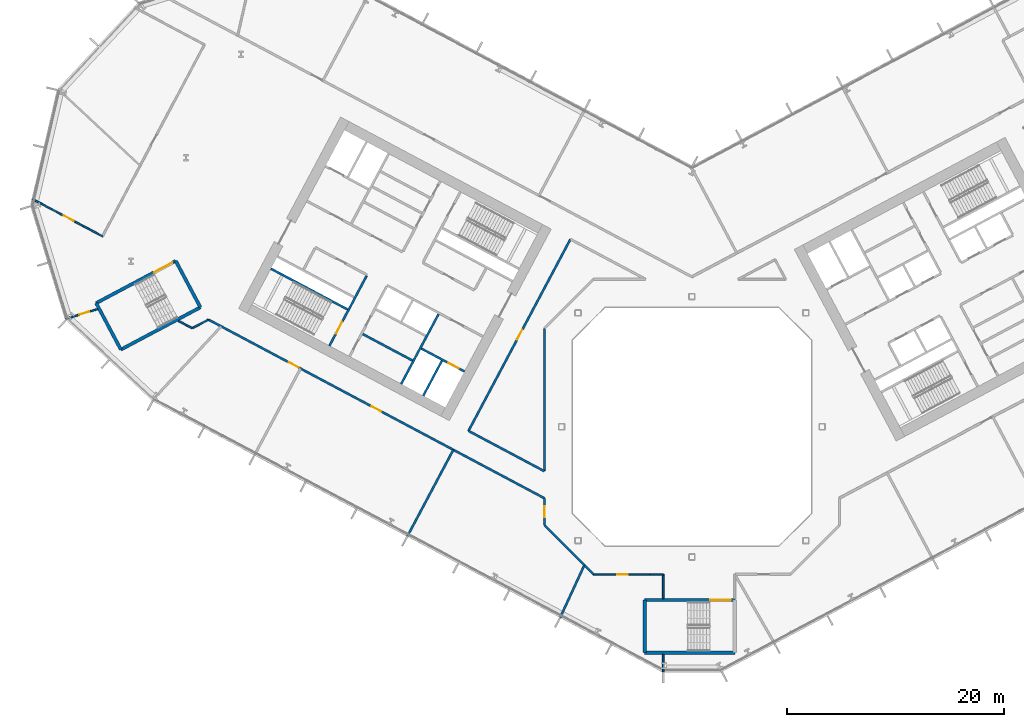
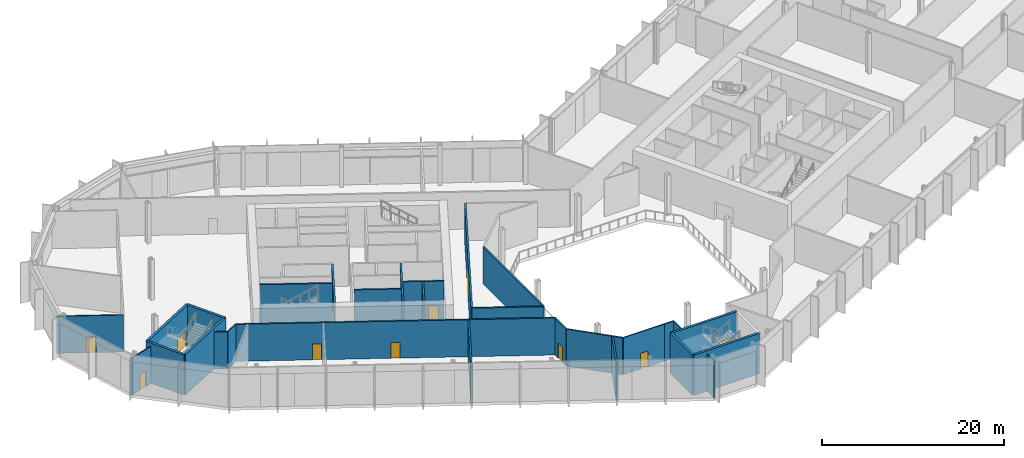
# One storey, part 12 of 31: 30 walls, 11 doors, 11 openings.
"""IFC4 building model written with IfcOpenShell, lengths in metres."""

from ifc_helpers import new_model, si_unit, direction, frame, frame_2d, origin, place, context, subcontext, project, spatial, rectangle, extrude, material, layer, layer_set, type_object, element, fill, save


model = new_model("IFC4")

# Units and contexts
model_context = context("Model", 3, precision=1e-05, world=origin(), true_north=direction((0.0, 1.0)))
body_context = subcontext(model_context, "Body", "Model", "MODEL_VIEW")
ifc_project = project(units=[si_unit("LENGTHUNIT", "METRE"), si_unit("AREAUNIT", "SQUARE_METRE"), si_unit("VOLUMEUNIT", "CUBIC_METRE"), si_unit("PLANEANGLEUNIT", "RADIAN"), si_unit("MASSUNIT", "GRAM", prefix="KILO")], contexts=[model_context])

# Site, building, storey
site_placement = place(None, origin())
site = spatial("IfcSite", under=ifc_project, at=site_placement, CompositionType="ELEMENT")
building_placement = place(site_placement, origin())
building = spatial("IfcBuilding", under=site, at=building_placement, Name="Cormorant Relay Tower", CompositionType="ELEMENT")
storey_placement = place(building_placement, frame((0.0, 0.0, 33.800048828125)))
storey = spatial("IfcBuildingStorey", under=building, at=storey_placement, Name="L06", CompositionType="ELEMENT", Elevation=33.800048828125)

# Walls
ifc_material_1 = material(Name="Concrete 40 MPa", Category="concrete")
ifc_layer_1 = layer(ifc_material_1, 0.199951171875)
ifc_layer_set_1 = layer_set([ifc_layer_1], Name="Core internal wall 200")
wall_type_1 = type_object("IfcWallType", Name="Core internal wall 200", PredefinedType="SOLIDWALL", material=ifc_layer_set_1)
wall_1_placement = place(storey_placement, frame((-25.7490234375, 6.102783203125, 0.0), z_axis=(0.0, 0.0, 1.0), x_axis=(-0.882953967957, 0.469459572775, 0.0)))
element("IfcWall", 1, at=wall_1_placement, inside=storey, type_object=wall_type_1, Name="L06 core A shaft and room wall", PredefinedType="SOLIDWALL", context=body_context, shape_type="SweptSolid", body=[
    extrude(rectangle(XDim=5.199951171875, YDim=0.199951171875, at=frame_2d((2.60009765625, 0.0))), origin(), (0.0, 0.0, 1.0), 5.39990234375),
])
ifc_material_2 = material(Name="Concrete 50 MPa", Category="concrete")
ifc_layer_2 = layer(ifc_material_2, 0.199951171875)
ifc_layer_set_2 = layer_set([ifc_layer_2], Name="Core shaft wall 200")
wall_type_2 = type_object("IfcWallType", Name="Core shaft wall 200", PredefinedType="SHEAR", material=ifc_layer_set_2)
wall_2_placement = place(storey_placement, frame((-23.04296875, 6.07958984375, 0.0), z_axis=(0.0, 0.0, 1.0), x_axis=(-0.469494272526, -0.882935517501, 0.0)))
element("IfcWall", 2, at=wall_2_placement, inside=storey, type_object=wall_type_2, Name="L06 core A shaft wall", PredefinedType="SHEAR", context=body_context, shape_type="SweptSolid", body=[
    extrude(rectangle(XDim=3.64990234375, YDim=0.199951171875, at=frame_2d((1.824951171875, 0.0))), origin(), (0.0, 0.0, 1.0), 5.39990234375),
])
wall_3_placement = place(storey_placement, frame((-23.360107421875, 10.38232421875, 0.0), z_axis=(0.0, 0.0, 1.0), x_axis=(-0.469480409012, -0.88294288918, 0.0)))
element("IfcWall", 3, at=wall_3_placement, inside=storey, type_object=wall_type_2, Name="L06 core A shaft wall", PredefinedType="SHEAR", context=body_context, shape_type="SweptSolid", body=[
    extrude(rectangle(XDim=7.300048828125, YDim=0.199951171875, at=frame_2d((3.64990234375, 0.0))), origin(), (0.0, 0.0, 1.0), 5.39990234375),
])

# Wall, opening, door
wall_4_placement = place(storey_placement, frame((-29.982421875, 13.9033203125, 0.0), z_axis=(0.0, 0.0, 1.0), x_axis=(-0.469454336211, -0.882956752176, 0.0)))
wall_4 = element("IfcWall", 4, at=wall_4_placement, inside=storey, type_object=wall_type_2, Name="L06 core A shaft wall", PredefinedType="SHEAR", context=body_context, shape_type="SweptSolid", body=[
    extrude(rectangle(XDim=7.300048828125, YDim=0.199951171875, at=frame_2d((3.64990234375, 0.0))), origin(), (0.0, 0.0, 1.0), 5.39990234375),
])
opening_1_placement = place(wall_4_placement, frame((4.800048828125, 0.0, 0.0)))
opening_1 = element("IfcOpeningElement", 5, at=opening_1_placement, cuts=wall_4, Name="Opening CDB-020", PredefinedType="OPENING", context=body_context, shape_type="SweptSolid", body=[
    extrude(rectangle(XDim=1.199951171875, YDim=2.10009765625, at=frame_2d((0.60009765625, 1.050048828125))), frame((0.0, 0.10986328125, 0.0), z_axis=(0.0, -1.0, 0.0), x_axis=(1.0, 0.0, 0.0)), (0.0, 0.0, 1.0), 0.219970703125),
])
ifc_material_3 = material(Name="Steel fire door", Category="steel")
door_type_1 = type_object("IfcDoorType", Name="Core stair door 1200x2100", OperationType="SINGLE_SWING_LEFT", PredefinedType="DOOR", material=ifc_material_3)
door_1_placement = place(opening_1_placement, frame((1.199951171875, 0.0, 0.0), z_axis=(0.0, 0.0, 1.0), x_axis=(-1.0, 0.0, 0.0)))
door_1 = element("IfcDoor", 6, at=door_1_placement, inside=storey, type_object=door_type_1, Name="Core stair door 1200x2100", OperationType="SINGLE_SWING_RIGHT", OverallHeight=2.10009765625, OverallWidth=1.199951171875, PredefinedType="DOOR", context=body_context, shape_type="SweptSolid", body=[
    extrude(rectangle(XDim=1.199951171875, YDim=2.10009765625, at=frame_2d((0.60009765625, 1.050048828125))), frame((0.0, 0.02490234375, 0.0), z_axis=(0.0, -1.0, 0.0), x_axis=(1.0, 0.0, 0.0)), (0.0, 0.0, 1.0), 0.050048828125),
])
fill(opening_1, door_1)

wall_5_placement = place(storey_placement, frame((-20.96533203125, 5.088134765625, 0.0), z_axis=(0.0, 0.0, 1.0), x_axis=(-0.882925986334, 0.469512196493, 0.0)))
wall_5 = element("IfcWall", 7, at=wall_5_placement, inside=storey, type_object=wall_type_2, Name="L06 core A shaft wall", PredefinedType="SHEAR", context=body_context, shape_type="SweptSolid", body=[
    extrude(rectangle(XDim=4.5, YDim=0.199951171875, at=frame_2d((2.25, 0.0))), origin(), (0.0, 0.0, 1.0), 5.39990234375),
])
opening_2_placement = place(wall_5_placement, frame((0.60009765625, 0.0, 0.0)))
opening_2 = element("IfcOpeningElement", 8, at=opening_2_placement, cuts=wall_5, Name="Opening LD1-019", PredefinedType="OPENING", context=body_context, shape_type="SweptSolid", body=[
    extrude(rectangle(XDim=1.10009765625, YDim=2.10009765625, at=frame_2d((0.550048828125, 1.050048828125))), frame((0.0, 0.10986328125, 0.0), z_axis=(0.0, -1.0, 0.0), x_axis=(1.0, 0.0, 0.0)), (0.0, 0.0, 1.0), 0.219970703125),
])
ifc_material_4 = material(Name="Stainless steel 316", Category="steel")
door_type_2 = type_object("IfcDoorType", Name="Lift landing door 1100x2100", OperationType="DOUBLE_DOOR_SLIDING", PredefinedType="DOOR", material=ifc_material_4)
door_2_placement = place(opening_2_placement, origin())
door_2 = element("IfcDoor", 9, at=door_2_placement, inside=storey, type_object=door_type_2, Name="FF1 landing door", OperationType="DOUBLE_DOOR_SLIDING", OverallHeight=2.10009765625, OverallWidth=1.10009765625, PredefinedType="DOOR", context=body_context, shape_type="SweptSolid", body=[
    extrude(rectangle(XDim=1.10009765625, YDim=2.10009765625, at=frame_2d((0.550048828125, 1.050048828125))), frame((0.0, 0.02490234375, 0.0), z_axis=(0.0, -1.0, 0.0), x_axis=(1.0, 0.0, 0.0)), (0.0, 0.0, 1.0), 0.050048828125),
])
fill(opening_2, door_2)

# Wall
wall_6_placement = place(storey_placement, frame((-31.7373046875, 10.815673828125, 0.0), z_axis=(0.0, 0.0, 1.0), x_axis=(-0.882940221191, 0.469485426614, 0.0)))
element("IfcWall", 10, at=wall_6_placement, inside=storey, type_object=wall_type_2, Name="L06 core A shaft wall", PredefinedType="SHEAR", context=body_context, shape_type="SweptSolid", body=[
    extrude(rectangle(XDim=8.0, YDim=0.199951171875, at=frame_2d((4.0, 0.0))), origin(), (0.0, 0.0, 1.0), 5.39990234375),
])

# Wall, openings, doors
ifc_material_5 = material(Name="Fire-rated gypsum board partition")
ifc_layer_3 = layer(ifc_material_5, 0.199951171875)
ifc_layer_set_3 = layer_set([ifc_layer_3], Name="Fire-rated gypsum partition 200")
wall_type_3 = type_object("IfcWallType", Name="Fire-rated gypsum partition 200", PredefinedType="PARTITIONING", material=ifc_layer_set_3)
wall_7_placement = place(storey_placement, frame((-13.597900390625, -6.5849609375, 0.0), z_axis=(0.0, 0.0, 1.0), x_axis=(-0.882949042681, 0.469468836057, 0.0)))
wall_7 = element("IfcWall", 11, at=wall_7_placement, inside=storey, type_object=wall_type_3, Name="wall/L06/part/12", PredefinedType="PARTITIONING", context=body_context, shape_type="SweptSolid", body=[
    extrude(rectangle(XDim=35.058837890625, YDim=0.199951171875, at=frame_2d((17.529296875, 0.0))), origin(), (0.0, 0.0, 1.0), 4.949951171875),
])
opening_3_placement = place(wall_7_placement, frame((25.64990234375, 0.0, 0.0)))
opening_3 = element("IfcOpeningElement", 12, at=opening_3_placement, cuts=wall_7, Name="Opening FD1-034", PredefinedType="OPENING", context=body_context, shape_type="SweptSolid", body=[
    extrude(rectangle(XDim=1.0, YDim=2.10009765625, at=frame_2d((0.5, 1.050048828125))), frame((0.0, 0.10986328125, 0.0), z_axis=(0.0, -1.0, 0.0), x_axis=(1.0, 0.0, 0.0)), (0.0, 0.0, 1.0), 0.219970703125),
])
opening_4_placement = place(wall_7_placement, frame((17.050048828125, 0.0, 0.0)))
opening_4 = element("IfcOpeningElement", 13, at=opening_4_placement, cuts=wall_7, Name="Opening FD1-035", PredefinedType="OPENING", context=body_context, shape_type="SweptSolid", body=[
    extrude(rectangle(XDim=1.0, YDim=2.10009765625, at=frame_2d((0.5, 1.050048828125))), frame((0.0, 0.10986328125, 0.0), z_axis=(0.0, -1.0, 0.0), x_axis=(1.0, 0.0, 0.0)), (0.0, 0.0, 1.0), 0.219970703125),
])
ifc_material_6 = material(Name="Fire-rated steel door", Category="steel")
door_type_3 = type_object("IfcDoorType", Name="Fire door 1000 x 2100", OperationType="SINGLE_SWING_LEFT", PredefinedType="DOOR", material=ifc_material_6)
door_3_placement = place(opening_3_placement, origin())
door_3 = element("IfcDoor", 14, at=door_3_placement, inside=storey, type_object=door_type_3, Name="door/L06/16", OperationType="SINGLE_SWING_LEFT", OverallHeight=2.10009765625, OverallWidth=1.0, PredefinedType="DOOR", context=body_context, shape_type="SweptSolid", body=[
    extrude(rectangle(XDim=1.0, YDim=2.10009765625, at=frame_2d((0.5, 1.050048828125))), frame((0.0, 0.02490234375, 0.0), z_axis=(0.0, -1.0, 0.0), x_axis=(1.0, 0.0, 0.0)), (0.0, 0.0, 1.0), 0.050048828125),
])
fill(opening_3, door_3)
door_4_placement = place(opening_4_placement, origin())
door_4 = element("IfcDoor", 15, at=door_4_placement, inside=storey, type_object=door_type_3, Name="door/L06/17", OperationType="SINGLE_SWING_LEFT", OverallHeight=2.10009765625, OverallWidth=1.0, PredefinedType="DOOR", context=body_context, shape_type="SweptSolid", body=[
    extrude(rectangle(XDim=1.0, YDim=2.10009765625, at=frame_2d((0.5, 1.050048828125))), frame((0.0, 0.02490234375, 0.0), z_axis=(0.0, -1.0, 0.0), x_axis=(1.0, 0.0, 0.0)), (0.0, 0.0, 1.0), 0.050048828125),
])
fill(opening_4, door_4)

# Walls
wall_8_placement = place(storey_placement, frame((-21.988037109375, -2.1240234375, 0.0), z_axis=(0.0, 0.0, 1.0), x_axis=(-0.469475779988, -0.88294535052, 0.0)))
element("IfcWall", 16, at=wall_8_placement, inside=storey, type_object=wall_type_3, Name="wall/L06/part/15", PredefinedType="PARTITIONING", context=body_context, shape_type="SweptSolid", body=[
    extrude(rectangle(XDim=9.001708984375, YDim=0.199951171875, at=frame_2d((4.5009765625, 0.0))), origin(), (0.0, 0.0, 1.0), 4.949951171875),
])
wall_9_placement = place(storey_placement, frame((-9.9169921875, -12.757080078125, 0.0), z_axis=(0.0, 0.0, 1.0), x_axis=(-0.707083331725, 0.70713022987, 0.0)))
element("IfcWall", 17, at=wall_9_placement, inside=storey, type_object=wall_type_3, Name="wall/L06/part/17", PredefinedType="PARTITIONING", context=body_context, shape_type="SweptSolid", body=[
    extrude(rectangle(XDim=5.205810546875, YDim=0.199951171875, at=frame_2d((2.60302734375, 0.0))), origin(), (0.0, 0.0, 1.0), 4.949951171875),
])

# Wall, opening, door
wall_10_placement = place(storey_placement, frame((-13.597900390625, -9.075927734375, 0.0), z_axis=(0.0, 0.0, 1.0), x_axis=(0.0, 1.0, 0.0)))
wall_10 = element("IfcWall", 18, at=wall_10_placement, inside=storey, type_object=wall_type_3, Name="wall/L06/part/18", PredefinedType="PARTITIONING", context=body_context, shape_type="SweptSolid", body=[
    extrude(rectangle(XDim=2.473876953125, YDim=0.199951171875, at=frame_2d((1.23681640625, 0.0))), origin(), (0.0, 0.0, 1.0), 4.949951171875),
])
opening_5_placement = place(wall_10_placement, frame((0.75, 0.0, 0.0)))
opening_5 = element("IfcOpeningElement", 19, at=opening_5_placement, cuts=wall_10, Name="Opening FD1-036", PredefinedType="OPENING", context=body_context, shape_type="SweptSolid", body=[
    extrude(rectangle(XDim=1.0, YDim=2.10009765625, at=frame_2d((0.5, 1.050048828125))), frame((0.0, 0.10986328125, 0.0), z_axis=(0.0, -1.0, 0.0), x_axis=(1.0, 0.0, 0.0)), (0.0, 0.0, 1.0), 0.219970703125),
])
door_5_placement = place(opening_5_placement, origin())
door_5 = element("IfcDoor", 20, at=door_5_placement, inside=storey, type_object=door_type_3, Name="door/L06/18", OperationType="SINGLE_SWING_RIGHT", OverallHeight=2.10009765625, OverallWidth=1.0, PredefinedType="DOOR", context=body_context, shape_type="SweptSolid", body=[
    extrude(rectangle(XDim=1.0, YDim=2.10009765625, at=frame_2d((0.5, 1.050048828125))), frame((0.0, 0.02490234375, 0.0), z_axis=(0.0, -1.0, 0.0), x_axis=(1.0, 0.0, 0.0)), (0.0, 0.0, 1.0), 0.050048828125),
])
fill(opening_5, door_5)

# Walls
wall_11_placement = place(storey_placement, frame((-9.9169921875, -12.757080078125, 0.0), z_axis=(0.0, 0.0, 1.0), x_axis=(-0.418797645162, -0.908079584842, 0.0)))
element("IfcWall", 21, at=wall_11_placement, inside=storey, type_object=wall_type_3, Name="wall/L06/part/19", PredefinedType="PARTITIONING", context=body_context, shape_type="SweptSolid", body=[
    extrude(rectangle(XDim=5.2890625, YDim=0.199951171875, at=frame_2d((2.64453125, 0.0))), origin(), (0.0, 0.0, 1.0), 4.949951171875),
])
wall_12_placement = place(storey_placement, frame((-9.075927734375, -13.597900390625, 0.0), z_axis=(0.0, 0.0, 1.0), x_axis=(-0.707209416613, 0.707004130861, 0.0)))
element("IfcWall", 22, at=wall_12_placement, inside=storey, type_object=wall_type_3, Name="wall/L06/part/22", PredefinedType="PARTITIONING", context=body_context, shape_type="SweptSolid", body=[
    extrude(rectangle(XDim=1.189208984375, YDim=0.199951171875, at=frame_2d((0.5947265625, 0.0))), origin(), (0.0, 0.0, 1.0), 4.949951171875),
])

# Wall, opening, door
wall_13_placement = place(storey_placement, frame((-20.590087890625, -0.3798828125, 0.0), z_axis=(0.0, 0.0, 1.0), x_axis=(0.4694565083, 0.882955597306, 0.0)))
wall_13 = element("IfcWall", 23, at=wall_13_placement, inside=storey, type_object=wall_type_3, Name="wall/L06/part/56", PredefinedType="PARTITIONING", context=body_context, shape_type="SweptSolid", body=[
    extrude(rectangle(XDim=20.004150390625, YDim=0.199951171875, at=frame_2d((10.001953125, 0.0))), origin(), (0.0, 0.0, 1.0), 4.949951171875),
])
opening_6_placement = place(wall_13_placement, frame((9.550048828125, 0.0, 0.0)))
opening_6 = element("IfcOpeningElement", 24, at=opening_6_placement, cuts=wall_13, Name="Opening FD1-040", PredefinedType="OPENING", context=body_context, shape_type="SweptSolid", body=[
    extrude(rectangle(XDim=1.0, YDim=2.10009765625, at=frame_2d((0.5, 1.050048828125))), frame((0.0, 0.10986328125, 0.0), z_axis=(0.0, -1.0, 0.0), x_axis=(1.0, 0.0, 0.0)), (0.0, 0.0, 1.0), 0.219970703125),
])
door_6_placement = place(opening_6_placement, frame((1.0, 0.0, 0.0), z_axis=(0.0, 0.0, 1.0), x_axis=(-1.0, 0.0, 0.0)))
door_6 = element("IfcDoor", 25, at=door_6_placement, inside=storey, type_object=door_type_3, Name="door/L06/3", OperationType="SINGLE_SWING_LEFT", OverallHeight=2.10009765625, OverallWidth=1.0, PredefinedType="DOOR", context=body_context, shape_type="SweptSolid", body=[
    extrude(rectangle(XDim=1.0, YDim=2.10009765625, at=frame_2d((0.5, 1.050048828125))), frame((0.0, 0.02490234375, 0.0), z_axis=(0.0, -1.0, 0.0), x_axis=(1.0, 0.0, 0.0)), (0.0, 0.0, 1.0), 0.050048828125),
])
fill(opening_6, door_6)

# Walls
wall_14_placement = place(storey_placement, frame((-13.597900390625, 9.075927734375, 0.0), z_axis=(0.0, 0.0, 1.0), x_axis=(0.0, -1.0, 0.0)))
element("IfcWall", 26, at=wall_14_placement, inside=storey, type_object=wall_type_3, Name="wall/L06/part/60", PredefinedType="PARTITIONING", context=body_context, shape_type="SweptSolid", body=[
    extrude(rectangle(XDim=13.173828125, YDim=0.199951171875, at=frame_2d((6.5869140625, 0.0))), origin(), (0.0, 0.0, 1.0), 4.949951171875),
])
wall_15_placement = place(storey_placement, frame((-13.597900390625, -4.097900390625, 0.0), z_axis=(0.0, 0.0, 1.0), x_axis=(-0.88293683418, 0.469491796359, 0.0)))
element("IfcWall", 27, at=wall_15_placement, inside=storey, type_object=wall_type_3, Name="wall/L06/part/61", PredefinedType="PARTITIONING", context=body_context, shape_type="SweptSolid", body=[
    extrude(rectangle(XDim=7.919189453125, YDim=0.199951171875, at=frame_2d((3.95947265625, 0.0))), origin(), (0.0, 0.0, 1.0), 4.949951171875),
])

# Wall, opening, door
ifc_material_7 = material(Name="Gypsum board partition")
ifc_layer_4 = layer(ifc_material_7, 0.14990234375)
ifc_layer_set_4 = layer_set([ifc_layer_4], Name="Gypsum board partition 150")
wall_type_4 = type_object("IfcWallType", Name="Gypsum board partition 150", PredefinedType="PARTITIONING", material=ifc_layer_set_4)
wall_16_placement = place(storey_placement, frame((-60.787109375, 20.991943359375, 0.0), z_axis=(0.0, 0.0, 1.0), x_axis=(0.882995783921, -0.469380917356, 0.0)))
wall_16 = element("IfcWall", 28, at=wall_16_placement, inside=storey, type_object=wall_type_4, Name="wall/L06/part/1", PredefinedType="PARTITIONING", context=body_context, shape_type="SweptSolid", body=[
    extrude(rectangle(XDim=7.32861328125, YDim=0.14990234375, at=frame_2d((3.664306640625, 0.0))), origin(), (0.0, 0.0, 1.0), 4.949951171875),
])
opening_7_placement = place(wall_16_placement, frame((3.287109375, 0.0, 0.0)))
opening_7 = element("IfcOpeningElement", 29, at=opening_7_placement, cuts=wall_16, Name="Opening D1-016", PredefinedType="OPENING", context=body_context, shape_type="SweptSolid", body=[
    extrude(rectangle(XDim=1.0, YDim=2.10009765625, at=frame_2d((0.5, 1.050048828125))), frame((0.0, 0.0849609375, 0.0), z_axis=(0.0, -1.0, 0.0), x_axis=(1.0, 0.0, 0.0)), (0.0, 0.0, 1.0), 0.169921875),
])
ifc_material_8 = material(Name="Painted steel door", Category="steel")
door_type_4 = type_object("IfcDoorType", Name="Single door 1000 x 2100", OperationType="SINGLE_SWING_LEFT", PredefinedType="DOOR", material=ifc_material_8)
door_7_placement = place(opening_7_placement, origin())
door_7 = element("IfcDoor", 30, at=door_7_placement, inside=storey, type_object=door_type_4, Name="door/L06/2", OperationType="SINGLE_SWING_RIGHT", OverallHeight=2.10009765625, OverallWidth=1.0, PredefinedType="DOOR", context=body_context, shape_type="SweptSolid", body=[
    extrude(rectangle(XDim=1.0, YDim=2.10009765625, at=frame_2d((0.5, 1.050048828125))), frame((0.0, 0.02490234375, 0.0), z_axis=(0.0, -1.0, 0.0), x_axis=(1.0, 0.0, 0.0)), (0.0, 0.0, 1.0), 0.050048828125),
])
fill(opening_7, door_7)

wall_17_placement = place(storey_placement, frame((-54.7607421875, 10.847900390625, 0.0), z_axis=(0.0, 0.0, 1.0), x_axis=(-0.956301064033, -0.29238378021, 0.0)))
wall_17 = element("IfcWall", 31, at=wall_17_placement, inside=storey, type_object=wall_type_4, Name="wall/L06/part/5", PredefinedType="PARTITIONING", context=body_context, shape_type="SweptSolid", body=[
    extrude(rectangle(XDim=3.115478515625, YDim=0.14990234375, at=frame_2d((1.5576171875, 0.0))), origin(), (0.0, 0.0, 1.0), 4.949951171875),
])
opening_8_placement = place(wall_17_placement, frame((0.820068359375, 0.0, 0.0)))
opening_8 = element("IfcOpeningElement", 32, at=opening_8_placement, cuts=wall_17, Name="Opening D2-005", PredefinedType="OPENING", context=body_context, shape_type="SweptSolid", body=[
    extrude(rectangle(XDim=0.949951171875, YDim=2.10009765625, at=frame_2d((0.47509765625, 1.050048828125))), frame((0.0, 0.0849609375, 0.0), z_axis=(0.0, -1.0, 0.0), x_axis=(1.0, 0.0, 0.0)), (0.0, 0.0, 1.0), 0.169921875),
])
ifc_material_9 = material(Name="Timber door", Category="wood")
door_type_5 = type_object("IfcDoorType", Name="Toilet door 950 x 2100", OperationType="SINGLE_SWING_LEFT", PredefinedType="DOOR", material=ifc_material_9)
door_8_placement = place(opening_8_placement, origin())
door_8 = element("IfcDoor", 33, at=door_8_placement, inside=storey, type_object=door_type_5, Name="door/L06/15", OperationType="SINGLE_SWING_RIGHT", OverallHeight=2.10009765625, OverallWidth=0.949951171875, PredefinedType="DOOR", context=body_context, shape_type="SweptSolid", body=[
    extrude(rectangle(XDim=0.949951171875, YDim=2.10009765625, at=frame_2d((0.47509765625, 1.050048828125))), frame((0.0, 0.02490234375, 0.0), z_axis=(0.0, -1.0, 0.0), x_axis=(1.0, 0.0, 0.0)), (0.0, 0.0, 1.0), 0.050048828125),
])
fill(opening_8, door_8)

# Walls
wall_18_placement = place(storey_placement, frame((-44.56298828125, 9.868896484375, 0.0), z_axis=(0.0, 0.0, 1.0), x_axis=(-0.882863413573, -0.469629846766, 0.0)))
element("IfcWall", 34, at=wall_18_placement, inside=storey, type_object=wall_type_4, Name="wall/L06/part/10", PredefinedType="PARTITIONING", context=body_context, shape_type="SweptSolid", body=[
    extrude(rectangle(XDim=1.6796875, YDim=0.14990234375, at=frame_2d((0.83984375, 0.0))), origin(), (0.0, 0.0, 1.0), 4.949951171875),
])
wall_19_placement = place(storey_placement, frame((-46.0458984375, 9.080078125, 0.0), z_axis=(0.0, 0.0, 1.0), x_axis=(-0.882853180601, 0.469649083363, 0.0)))
element("IfcWall", 35, at=wall_19_placement, inside=storey, type_object=wall_type_4, Name="wall/L06/part/11", PredefinedType="PARTITIONING", context=body_context, shape_type="SweptSolid", body=[
    extrude(rectangle(XDim=1.45751953125, YDim=0.14990234375, at=frame_2d((0.728759765625, 0.0))), origin(), (0.0, 0.0, 1.0), 4.949951171875),
])

# Wall, opening, door
wall_20_placement = place(storey_placement, frame((-3.886962890625, -13.597900390625, 0.0), z_axis=(0.0, 0.0, 1.0), x_axis=(-1.0, 0.0, 0.0)))
wall_20 = element("IfcWall", 36, at=wall_20_placement, inside=storey, type_object=wall_type_4, Name="wall/L06/part/21", PredefinedType="PARTITIONING", context=body_context, shape_type="SweptSolid", body=[
    extrude(rectangle(XDim=5.18896484375, YDim=0.14990234375, at=frame_2d((2.594482421875, 0.0))), origin(), (0.0, 0.0, 1.0), 4.949951171875),
])
opening_9_placement = place(wall_20_placement, frame((2.050048828125, 0.0, 0.0)))
opening_9 = element("IfcOpeningElement", 37, at=opening_9_placement, cuts=wall_20, Name="Opening D2-006", PredefinedType="OPENING", context=body_context, shape_type="SweptSolid", body=[
    extrude(rectangle(XDim=0.949951171875, YDim=2.10009765625, at=frame_2d((0.47509765625, 1.050048828125))), frame((0.0, 0.0849609375, 0.0), z_axis=(0.0, -1.0, 0.0), x_axis=(1.0, 0.0, 0.0)), (0.0, 0.0, 1.0), 0.169921875),
])
door_9_placement = place(opening_9_placement, origin())
door_9 = element("IfcDoor", 38, at=door_9_placement, inside=storey, type_object=door_type_5, Name="door/L06/19", OperationType="SINGLE_SWING_LEFT", OverallHeight=2.10009765625, OverallWidth=0.949951171875, PredefinedType="DOOR", context=body_context, shape_type="SweptSolid", body=[
    extrude(rectangle(XDim=0.949951171875, YDim=2.10009765625, at=frame_2d((0.47509765625, 1.050048828125))), frame((0.0, 0.02490234375, 0.0), z_axis=(0.0, -1.0, 0.0), x_axis=(1.0, 0.0, 0.0)), (0.0, 0.0, 1.0), 0.050048828125),
])
fill(opening_9, door_9)

# Walls
wall_21_placement = place(storey_placement, frame((-2.64892578125, -15.840087890625, 0.0), z_axis=(0.0, 0.0, 1.0), x_axis=(0.0, 1.0, 0.0)))
element("IfcWall", 39, at=wall_21_placement, inside=storey, type_object=wall_type_4, Name="wall/L06/part/23", PredefinedType="PARTITIONING", context=body_context, shape_type="SweptSolid", body=[
    extrude(rectangle(XDim=2.2421875, YDim=0.14990234375, at=frame_2d((1.12109375, 0.0))), origin(), (0.0, 0.0, 1.0), 4.949951171875),
])
wall_22_placement = place(storey_placement, frame((-2.64892578125, -13.597900390625, 0.0), z_axis=(0.0, 0.0, 1.0), x_axis=(-1.0, 0.0, 0.0)))
element("IfcWall", 40, at=wall_22_placement, inside=storey, type_object=wall_type_4, Name="wall/L06/part/24", PredefinedType="PARTITIONING", context=body_context, shape_type="SweptSolid", body=[
    extrude(rectangle(XDim=1.238037109375, YDim=0.14990234375, at=frame_2d((0.619140625, 0.0))), origin(), (0.0, 0.0, 1.0), 4.949951171875),
])
wall_23_placement = place(storey_placement, frame((-2.64892578125, -20.9599609375, 0.0), z_axis=(0.0, 0.0, 1.0), x_axis=(0.0, -1.0, 0.0)))
element("IfcWall", 41, at=wall_23_placement, inside=storey, type_object=wall_type_4, Name="wall/L06/part/25", PredefinedType="PARTITIONING", context=body_context, shape_type="SweptSolid", body=[
    extrude(rectangle(XDim=1.6220703125, YDim=0.14990234375, at=frame_2d((0.81103515625, 0.0))), origin(), (0.0, 0.0, 1.0), 4.949951171875),
])
ifc_material_10 = material(Name="Concrete 50 MPa", Category="concrete")
ifc_layer_5 = layer(ifc_material_10, 0.300048828125)
ifc_layer_set_5 = layer_set([ifc_layer_5], Name="Remote stair wall 300")
wall_type_5 = type_object("IfcWallType", Name="Remote stair wall 300", PredefinedType="SHEAR", material=ifc_layer_set_5)
wall_24_placement = place(storey_placement, frame((3.949951171875, -20.824951171875, 0.0), z_axis=(0.0, 0.0, 1.0), x_axis=(-1.0, 0.0, 0.0)))
element("IfcWall", 42, at=wall_24_placement, inside=storey, type_object=wall_type_5, Name="L06 exit stair RK1 wall", PredefinedType="SHEAR", context=body_context, shape_type="SweptSolid", body=[
    extrude(rectangle(XDim=8.300048828125, YDim=0.300048828125, at=frame_2d((4.14990234375, 0.0))), origin(), (0.0, 0.0, 1.0), 5.39990234375),
])
wall_25_placement = place(storey_placement, frame((-4.35009765625, -20.824951171875, 0.0), z_axis=(0.0, 0.0, 1.0), x_axis=(0.0, 1.0, 0.0)))
element("IfcWall", 43, at=wall_25_placement, inside=storey, type_object=wall_type_5, Name="L06 exit stair RK1 wall", PredefinedType="SHEAR", context=body_context, shape_type="SweptSolid", body=[
    extrude(rectangle(XDim=4.849853515625, YDim=0.300048828125, at=frame_2d((2.4248046875, 0.0))), origin(), (0.0, 0.0, 1.0), 5.39990234375),
])

# Wall, opening, door
wall_26_placement = place(storey_placement, frame((-4.35009765625, -15.97509765625, 0.0), z_axis=(0.0, 0.0, 1.0), x_axis=(1.0, 0.0, 0.0)))
wall_26 = element("IfcWall", 44, at=wall_26_placement, inside=storey, type_object=wall_type_5, Name="L06 exit stair RK1 wall", PredefinedType="SHEAR", context=body_context, shape_type="SweptSolid", body=[
    extrude(rectangle(XDim=8.300048828125, YDim=0.300048828125, at=frame_2d((4.14990234375, 0.0))), origin(), (0.0, 0.0, 1.0), 5.39990234375),
])
opening_10_placement = place(wall_26_placement, frame((6.050048828125, 0.0, 0.0)))
opening_10 = element("IfcOpeningElement", 45, at=opening_10_placement, cuts=wall_26, Name="Opening CDE-006", PredefinedType="OPENING", context=body_context, shape_type="SweptSolid", body=[
    extrude(rectangle(XDim=1.89990234375, YDim=2.10009765625, at=frame_2d((0.949951171875, 1.050048828125))), frame((0.0, 0.159912109375, 0.0), z_axis=(0.0, -1.0, 0.0), x_axis=(1.0, 0.0, 0.0)), (0.0, 0.0, 1.0), 0.320068359375),
])
ifc_material_11 = material(Name="Steel fire door", Category="steel")
door_type_6 = type_object("IfcDoorType", Name="Remote stair door 1900x2100", OperationType="DOUBLE_DOOR_SINGLE_SWING", PredefinedType="DOOR", material=ifc_material_11)
door_10_placement = place(opening_10_placement, frame((1.89990234375, 0.0, 0.0), z_axis=(0.0, 0.0, 1.0), x_axis=(-1.0, 0.0, 0.0)))
door_10 = element("IfcDoor", 46, at=door_10_placement, inside=storey, type_object=door_type_6, Name="Exit stair RK1 door", OperationType="DOUBLE_DOOR_SINGLE_SWING", OverallHeight=2.10009765625, OverallWidth=1.89990234375, PredefinedType="DOOR", context=body_context, shape_type="SweptSolid", body=[
    extrude(rectangle(XDim=1.89990234375, YDim=2.10009765625, at=frame_2d((0.949951171875, 1.050048828125))), frame((0.0, 0.02490234375, 0.0), z_axis=(0.0, -1.0, 0.0), x_axis=(1.0, 0.0, 0.0)), (0.0, 0.0, 1.0), 0.050048828125),
])
fill(opening_10, door_10)

# Walls
wall_27_placement = place(storey_placement, frame((-47.57421875, 15.28955078125, 0.0), z_axis=(0.0, 0.0, 1.0), x_axis=(0.469443498566, -0.882962514297, 0.0)))
element("IfcWall", 47, at=wall_27_placement, inside=storey, type_object=wall_type_5, Name="L06 exit stair RP1 wall", PredefinedType="SHEAR", context=body_context, shape_type="SweptSolid", body=[
    extrude(rectangle(XDim=4.85009765625, YDim=0.300048828125, at=frame_2d((2.425048828125, 0.0))), origin(), (0.0, 0.0, 1.0), 5.39990234375),
])
wall_28_placement = place(storey_placement, frame((-45.29736328125, 11.007080078125, 0.0), z_axis=(0.0, 0.0, 1.0), x_axis=(-0.882951519127, -0.469464178475, 0.0)))
element("IfcWall", 48, at=wall_28_placement, inside=storey, type_object=wall_type_5, Name="L06 exit stair RP1 wall", PredefinedType="SHEAR", context=body_context, shape_type="SweptSolid", body=[
    extrude(rectangle(XDim=8.2998046875, YDim=0.300048828125, at=frame_2d((4.14990234375, 0.0))), origin(), (0.0, 0.0, 1.0), 5.39990234375),
])
wall_29_placement = place(storey_placement, frame((-52.625732421875, 7.110595703125, 0.0), z_axis=(0.0, 0.0, 1.0), x_axis=(-0.469464364128, 0.882951420416, 0.0)))
element("IfcWall", 49, at=wall_29_placement, inside=storey, type_object=wall_type_5, Name="L06 exit stair RP1 wall", PredefinedType="SHEAR", context=body_context, shape_type="SweptSolid", body=[
    extrude(rectangle(XDim=4.849853515625, YDim=0.300048828125, at=frame_2d((2.4248046875, 0.0))), origin(), (0.0, 0.0, 1.0), 5.39990234375),
])

# Wall, opening, door
wall_30_placement = place(storey_placement, frame((-54.902587890625, 11.392822265625, 0.0), z_axis=(0.0, 0.0, 1.0), x_axis=(0.882939326045, 0.469487110071, 0.0)))
wall_30 = element("IfcWall", 50, at=wall_30_placement, inside=storey, type_object=wall_type_5, Name="L06 exit stair RP1 wall", PredefinedType="SHEAR", context=body_context, shape_type="SweptSolid", body=[
    extrude(rectangle(XDim=8.300048828125, YDim=0.300048828125, at=frame_2d((4.14990234375, 0.0))), origin(), (0.0, 0.0, 1.0), 5.39990234375),
])
opening_11_placement = place(wall_30_placement, frame((6.050048828125, 0.0, 0.0)))
opening_11 = element("IfcOpeningElement", 51, at=opening_11_placement, cuts=wall_30, Name="Opening CDE-007", PredefinedType="OPENING", context=body_context, shape_type="SweptSolid", body=[
    extrude(rectangle(XDim=1.89990234375, YDim=2.10009765625, at=frame_2d((0.949951171875, 1.050048828125))), frame((0.0, 0.159912109375, 0.0), z_axis=(0.0, -1.0, 0.0), x_axis=(1.0, 0.0, 0.0)), (0.0, 0.0, 1.0), 0.320068359375),
])
door_11_placement = place(opening_11_placement, frame((1.89990234375, 0.0, 0.0), z_axis=(0.0, 0.0, 1.0), x_axis=(-1.0, 0.0, 0.0)))
door_11 = element("IfcDoor", 52, at=door_11_placement, inside=storey, type_object=door_type_6, Name="Exit stair RP1 door", OperationType="DOUBLE_DOOR_SINGLE_SWING", OverallHeight=2.10009765625, OverallWidth=1.89990234375, PredefinedType="DOOR", context=body_context, shape_type="SweptSolid", body=[
    extrude(rectangle(XDim=1.89990234375, YDim=2.10009765625, at=frame_2d((0.949951171875, 1.050048828125))), frame((0.0, 0.02490234375, 0.0), z_axis=(0.0, -1.0, 0.0), x_axis=(1.0, 0.0, 0.0)), (0.0, 0.0, 1.0), 0.050048828125),
])
fill(opening_11, door_11)

save(model, "model.ifc")
